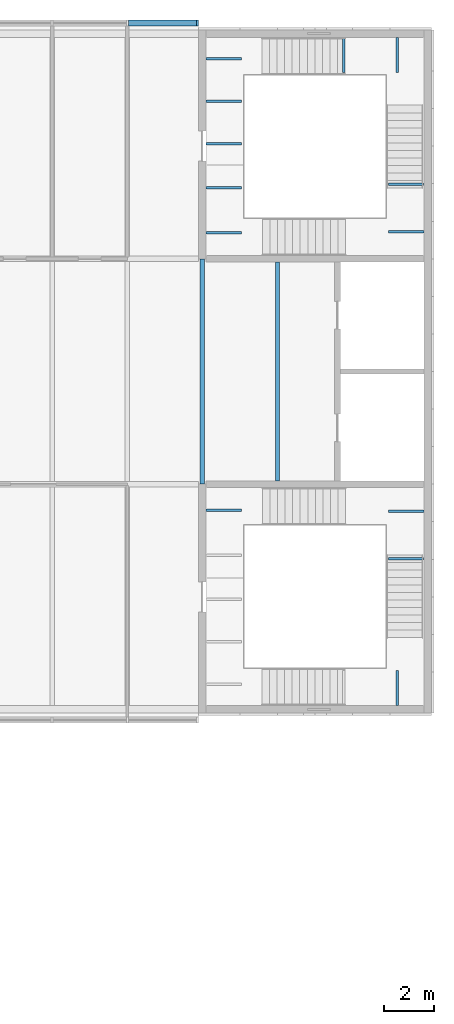
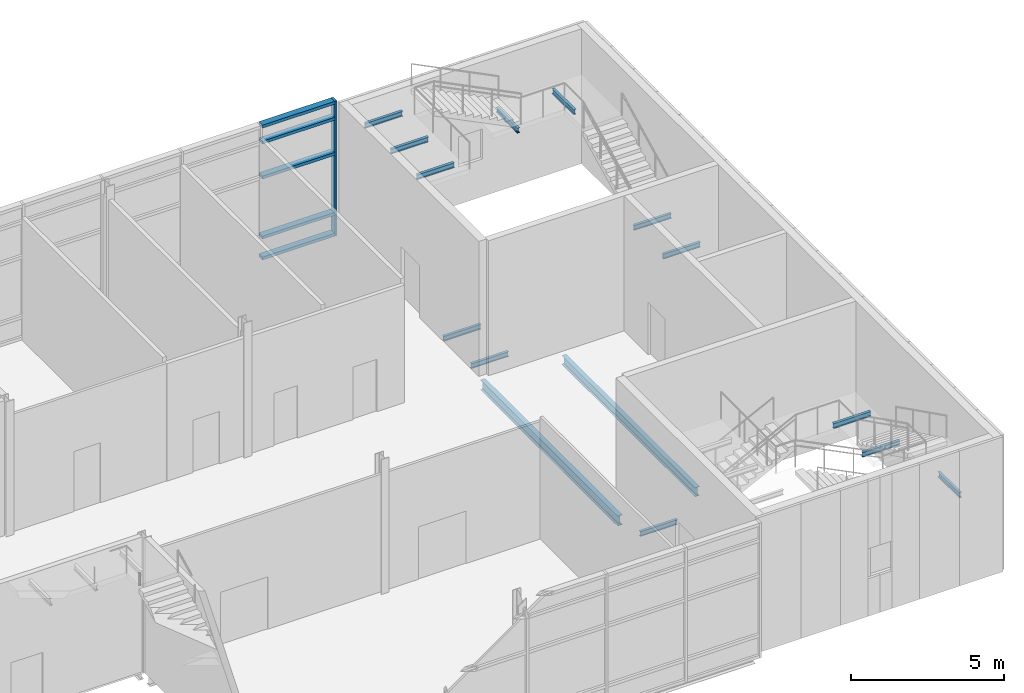
# One storey, part 28 of 56: 15 beams, 6 members, 1 element without a shape of its own.
"""IFC4 building model written with IfcOpenShell, lengths in metres."""

from ifc_helpers import new_model, si_unit, direction, frame, origin, origin_2d, place, context, subcontext, project, spatial, rectangle, i_section, extrude, material, material_profile, profile_set, type_object, element, aggregate, save


model = new_model("IFC4")

# Units and contexts
model_context = context("Model", 3, precision=1e-05, world=origin(), true_north=direction((0.0, 1.0)))
body_context = subcontext(model_context, "Body", "Model", "MODEL_VIEW")
ifc_project = project(units=[si_unit("LENGTHUNIT", "METRE"), si_unit("AREAUNIT", "SQUARE_METRE"), si_unit("VOLUMEUNIT", "CUBIC_METRE"), si_unit("PLANEANGLEUNIT", "RADIAN"), si_unit("MASSUNIT", "GRAM", prefix="KILO")], contexts=[model_context])

# Site, building, storey
site_placement = place(None, origin())
site = spatial("IfcSite", under=ifc_project, at=site_placement, CompositionType="ELEMENT")
building_placement = place(site_placement, origin())
building = spatial("IfcBuilding", under=site, at=building_placement, Name="Azimuth Sports and Learning Centre", CompositionType="ELEMENT")
storey_placement = place(building_placement, frame((0.0, 0.0, 5.39990234375)))
storey = spatial("IfcBuildingStorey", under=building, at=storey_placement, Name="L01", CompositionType="ELEMENT", Elevation=5.39990234375)

# Beams
ifc_material_1 = material(Name="Steel S355", Category="steel")
ifc_material_profile_1 = material_profile(ifc_material_1, i_section(OverallWidth=0.10009765625, OverallDepth=0.199951171875, WebThickness=0.005615234375, FlangeThickness=0.008544921875, FilletRadius=0.011962890625, at=origin_2d()), Name="IPE 200")
ifc_profile_set_1 = profile_set([ifc_material_profile_1], Name="Steel S355")
beam_type_1 = type_object("IfcBeamType", Name="Beam IPE 200", PredefinedType="BEAM", material=ifc_profile_set_1)
for number, where, z_axis, x_axis, name in (
    (1, (162.14990234375, 97.961181640625, -0.2998046875), (1.0, 0.0, 0.0), (0.0, 1.0, 0.0), "Landing bracket EW1 L01 789"),
    (2, (170.85009765625, 96.014892578125, 1.5), (-1.0, 0.0, 0.0), (0.0, -1.0, 0.0), "Landing bracket EW1 L01 790"),
    (3, (170.85009765625, 97.9150390625, 1.5), (-1.0, 0.0, 0.0), (0.0, -1.0, 0.0), "Landing bracket EW1 L01 791"),
    (4, (169.777587890625, 90.14990234375, 3.300048828125), (0.0, 1.0, 0.0), (-1.0, 0.0, 0.0), "Landing bracket EW1 L01 793"),
    (5, (162.14990234375, 109.038818359375, -0.2998046875), (1.0, 0.0, 0.0), (0.0, 1.0, 0.0), "Landing bracket EW2 L01 822"),
    (6, (162.14990234375, 110.84619140625, -0.2998046875), (1.0, 0.0, 0.0), (0.0, 1.0, 0.0), "Landing bracket EW2 L01 823"),
    (7, (170.85009765625, 109.0849609375, 1.5), (-1.0, 0.0, 0.0), (0.0, -1.0, 0.0), "Landing bracket EW2 L01 824"),
    (8, (170.85009765625, 110.985107421875, 1.5), (-1.0, 0.0, 0.0), (0.0, -1.0, 0.0), "Landing bracket EW2 L01 825"),
    (9, (167.652587890625, 116.85009765625, 3.300048828125), (0.0, -1.0, 0.0), (1.0, 0.0, 0.0), "Landing bracket EW2 L01 826"),
    (10, (169.777587890625, 116.85009765625, 3.300048828125), (0.0, -1.0, 0.0), (1.0, 0.0, 0.0), "Landing bracket EW2 L01 827"),
    (11, (162.14990234375, 112.598388671875, 5.10009765625), (1.0, 0.0, 0.0), (0.0, 1.0, 0.0), "Landing bracket EW2 L01 828"),
    (12, (162.14990234375, 114.294921875, 5.10009765625), (1.0, 0.0, 0.0), (0.0, 1.0, 0.0), "Landing bracket EW2 L01 829"),
    (13, (162.14990234375, 115.99169921875, 5.10009765625), (1.0, 0.0, 0.0), (0.0, 1.0, 0.0), "Landing bracket EW2 L01 830"),
):
    element("IfcBeam", number, at=place(storey_placement, frame(where, z_axis=z_axis, x_axis=x_axis)), inside=storey, type_object=beam_type_1, Name=name, PredefinedType="BEAM", context=body_context, shape_type="SweptSolid", body=[
        extrude(i_section(OverallWidth=0.10009765625, OverallDepth=0.199951171875, WebThickness=0.005615234375, FlangeThickness=0.008544921875, FilletRadius=0.011962890625, at=origin_2d()), origin(), (0.0, 0.0, 1.0), 1.41015625),
    ])
ifc_material_2 = material(Name="Steel S355", Category="steel")
ifc_material_profile_2 = material_profile(ifc_material_2, i_section(OverallWidth=0.179931640625, OverallDepth=0.39990234375, WebThickness=0.008544921875, FlangeThickness=0.013427734375, FilletRadius=0.02099609375, at=origin_2d()), Name="IPE 400")
ifc_profile_set_2 = profile_set([ifc_material_profile_2], Name="Steel S355")
beam_type_2 = type_object("IfcBeamType", Name="Beam IPE 400", PredefinedType="BEAM", material=ifc_profile_set_2)
beam_1_placement = place(storey_placement, frame((162.0, 99.0, -0.349853515625), z_axis=(0.0, 1.0, 0.0), x_axis=(-1.0, 0.0, 0.0)))
element("IfcBeam", 14, at=beam_1_placement, inside=storey, type_object=beam_type_2, Name="Beam L01 WE 26", PredefinedType="BEAM", context=body_context, shape_type="SweptSolid", body=[
    extrude(i_section(OverallWidth=0.179931640625, OverallDepth=0.39990234375, WebThickness=0.008544921875, FlangeThickness=0.013427734375, FilletRadius=0.02099609375, at=origin_2d()), origin(), (0.0, 0.0, 1.0), 9.0),
])
ifc_material_3 = material(Name="Steel S355", Category="steel")
ifc_material_profile_3 = material_profile(ifc_material_3, i_section(OverallWidth=0.169921875, OverallDepth=0.360107421875, WebThickness=0.008056640625, FlangeThickness=0.0126953125, FilletRadius=0.01806640625, at=origin_2d()), Name="IPE 360")
ifc_profile_set_3 = profile_set([ifc_material_profile_3], Name="Steel S355")
beam_type_3 = type_object("IfcBeamType", Name="Joist IPE 360", PredefinedType="JOIST", material=ifc_profile_set_3)
beam_2_placement = place(storey_placement, frame((165.0, 99.125, -0.329833984375), z_axis=(0.0, 1.0, 0.0), x_axis=(-1.0, 0.0, 0.0)))
element("IfcBeam", 15, at=beam_2_placement, inside=storey, type_object=beam_type_3, Name="Joist L01 WE 53", PredefinedType="JOIST", context=body_context, shape_type="SweptSolid", body=[
    extrude(i_section(OverallWidth=0.169921875, OverallDepth=0.360107421875, WebThickness=0.008056640625, FlangeThickness=0.0126953125, FilletRadius=0.01806640625, at=origin_2d()), origin(), (0.0, 0.0, 1.0), 8.75),
])

# Curtain wall, members
ifc_material_4 = material(Name="Aluminium and glass", Category="aluminium")
curtain_wall_type = type_object("IfcCurtainWallType", Name="Curtain wall podium wing 240", PredefinedType="NOTDEFINED", material=ifc_material_4)
curtain_wall_placement = place(storey_placement, origin())
curtain_wall = element("IfcCurtainWall", 16, at=curtain_wall_placement, inside=storey, type_object=curtain_wall_type, Name="Curtain wall CW01-011", PredefinedType="NOTDEFINED")
ifc_material_5 = material(Name="Aluminium", Category="aluminium")
ifc_material_profile_4 = material_profile(ifc_material_5, rectangle(XDim=0.239990234375, YDim=0.080078125, at=origin_2d()), Name="Mullion 80x240")
ifc_profile_set_4 = profile_set([ifc_material_profile_4], Name="Aluminium")
member_type_1 = type_object("IfcMemberType", Name="Mullion 80x240", PredefinedType="MULLION", material=ifc_profile_set_4)
member_1_placement = place(storey_placement, frame((161.81005859375, 117.419921875, 0.0), z_axis=(0.0, 0.0, 1.0), x_axis=(0.0, -1.0, 0.0)))
member_1 = element("IfcMember", 17, at=member_1_placement, type_object=member_type_1, Name="CW01-011 mullion 1", PredefinedType="MULLION", context=body_context, shape_type="SweptSolid", body=[
    extrude(rectangle(XDim=0.239990234375, YDim=0.080078125, at=origin_2d()), origin(), (0.0, 0.0, 1.0), 5.400146484375),
])
ifc_material_6 = material(Name="Aluminium", Category="aluminium")
ifc_material_profile_5 = material_profile(ifc_material_6, rectangle(XDim=0.239990234375, YDim=0.1201171875, at=origin_2d()), Name="Transom 120x240")
ifc_profile_set_5 = profile_set([ifc_material_profile_5], Name="Aluminium")
member_type_2 = type_object("IfcMemberType", Name="Transom 120x240", PredefinedType="USERDEFINED", material=ifc_profile_set_5)
member_2_placement = place(storey_placement, frame((161.77001953125, 117.419921875, 0.06005859375), z_axis=(-1.0, 0.0, 0.0), x_axis=(0.0, -1.0, 0.0)))
member_2 = element("IfcMember", 18, at=member_2_placement, type_object=member_type_2, Name="CW01-011 transom 1.1", ObjectType="TRANSOM", PredefinedType="USERDEFINED", context=body_context, shape_type="SweptSolid", body=[
    extrude(rectangle(XDim=0.239990234375, YDim=0.1201171875, at=origin_2d()), origin(), (0.0, 0.0, 1.0), 2.72998046875),
])
member_3_placement = place(storey_placement, frame((161.77001953125, 117.419921875, 0.900146484375), z_axis=(-1.0, 0.0, 0.0), x_axis=(0.0, -1.0, 0.0)))
member_3 = element("IfcMember", 19, at=member_3_placement, type_object=member_type_2, Name="CW01-011 transom 1.2", ObjectType="TRANSOM", PredefinedType="USERDEFINED", context=body_context, shape_type="SweptSolid", body=[
    extrude(rectangle(XDim=0.239990234375, YDim=0.1201171875, at=origin_2d()), origin(), (0.0, 0.0, 1.0), 2.72998046875),
])
member_4_placement = place(storey_placement, frame((161.77001953125, 117.419921875, 3.300048828125), z_axis=(-1.0, 0.0, 0.0), x_axis=(0.0, -1.0, 0.0)))
member_4 = element("IfcMember", 20, at=member_4_placement, type_object=member_type_2, Name="CW01-011 transom 1.3", ObjectType="TRANSOM", PredefinedType="USERDEFINED", context=body_context, shape_type="SweptSolid", body=[
    extrude(rectangle(XDim=0.239990234375, YDim=0.1201171875, at=origin_2d()), origin(), (0.0, 0.0, 1.0), 2.72998046875),
])
member_5_placement = place(storey_placement, frame((161.77001953125, 117.419921875, 4.7001953125), z_axis=(-1.0, 0.0, 0.0), x_axis=(0.0, -1.0, 0.0)))
member_5 = element("IfcMember", 21, at=member_5_placement, type_object=member_type_2, Name="CW01-011 transom 1.4", ObjectType="TRANSOM", PredefinedType="USERDEFINED", context=body_context, shape_type="SweptSolid", body=[
    extrude(rectangle(XDim=0.239990234375, YDim=0.1201171875, at=origin_2d()), origin(), (0.0, 0.0, 1.0), 2.72998046875),
])
member_6_placement = place(storey_placement, frame((161.77001953125, 117.419921875, 5.340087890625), z_axis=(-1.0, 0.0, 0.0), x_axis=(0.0, -1.0, 0.0)))
member_6 = element("IfcMember", 22, at=member_6_placement, type_object=member_type_2, Name="CW01-011 transom 1.5", ObjectType="TRANSOM", PredefinedType="USERDEFINED", context=body_context, shape_type="SweptSolid", body=[
    extrude(rectangle(XDim=0.239990234375, YDim=0.1201171875, at=origin_2d()), origin(), (0.0, 0.0, 1.0), 2.72998046875),
])
aggregate(curtain_wall, [member_1, member_2, member_3, member_4, member_5, member_6])

save(model, "model.ifc")
